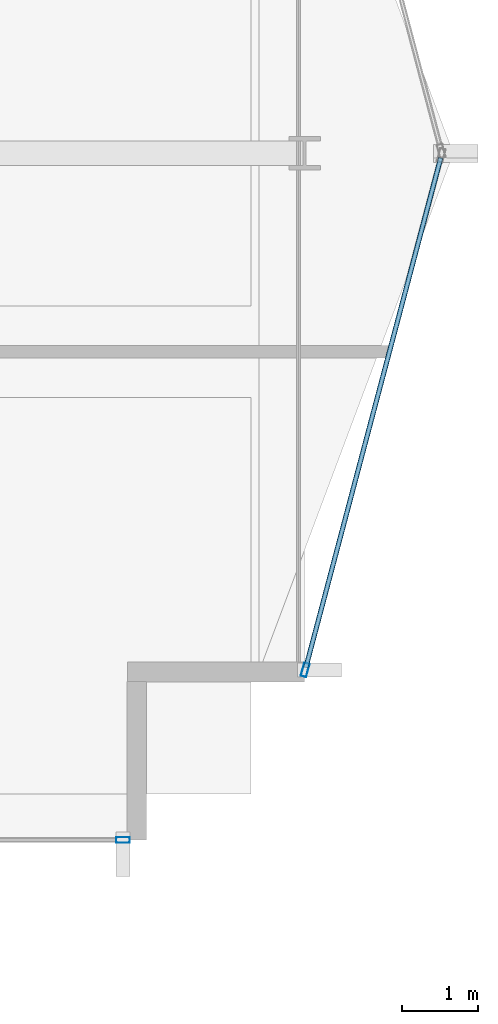
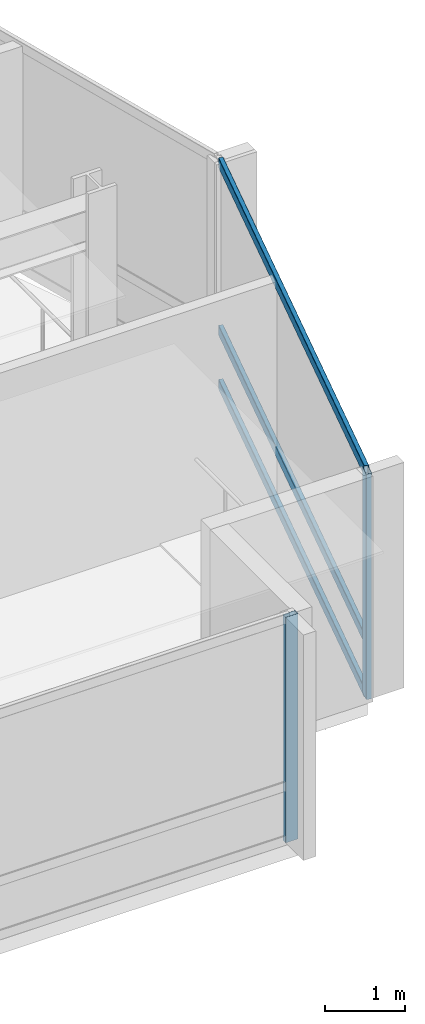
# One storey, part 11 of 29: 5 members, 2 elements without a shape of their own.
"""IFC4 building model written with IfcOpenShell, lengths in metres."""

from ifc_helpers import new_model, si_unit, direction, frame, origin, origin_2d, place, context, subcontext, project, spatial, hollow_rectangle, extrude, material, layer, layer_set, material_profile, profile_set, type_object, element, aggregate, save


model = new_model("IFC4")

# Units and contexts
model_context = context("Model", 3, precision=1e-05, world=origin(), true_north=direction((0.0, 1.0)))
body_context = subcontext(model_context, "Body", "Model", "MODEL_VIEW")
ifc_project = project(units=[si_unit("LENGTHUNIT", "METRE"), si_unit("AREAUNIT", "SQUARE_METRE"), si_unit("VOLUMEUNIT", "CUBIC_METRE"), si_unit("PLANEANGLEUNIT", "RADIAN"), si_unit("MASSUNIT", "GRAM", prefix="KILO")], contexts=[model_context])

# Site, building, storey
site_placement = place(None, origin())
site = spatial("IfcSite", under=ifc_project, at=site_placement, CompositionType="ELEMENT")
building_placement = place(site_placement, origin())
building = spatial("IfcBuilding", under=site, at=building_placement, Name="Solvaryn Broadcast Tower", CompositionType="ELEMENT")
storey_placement = place(building_placement, frame((0.0, 0.0, 161.800048828125)))
storey = spatial("IfcBuildingStorey", under=building, at=storey_placement, Name="L40", CompositionType="ELEMENT", Elevation=161.800048828125)

# Curtain wall, member
ifc_material_1 = material(Name="Aluminium and Terracotta Unitised Curtain Wall", Category="masonry")
ifc_layer = layer(ifc_material_1, 0.199951171875)
ifc_layer_set = layer_set([ifc_layer], Name="CW-SYS2-LOWMID")
curtain_wall_type = type_object("IfcCurtainWallType", Name="CW-SYS2-LOWMID", PredefinedType="NOTDEFINED", material=ifc_layer_set)
curtain_wall_1_placement = place(storey_placement, origin())
curtain_wall_1 = element("IfcCurtainWall", 1, at=curtain_wall_1_placement, inside=storey, type_object=curtain_wall_type, Name="L40 Curtain Wall S2", PredefinedType="NOTDEFINED")
ifc_material_2 = material(Name="Anodised Aluminium 6063-T6", Category="aluminium")
ifc_material_profile_1 = material_profile(ifc_material_2, hollow_rectangle(XDim=0.074951171875, YDim=0.179931640625, WallThickness=0.00390625, InnerFilletRadius=0.00390625, OuterFilletRadius=0.008056640625, at=origin_2d()))
ifc_profile_set_1 = profile_set([ifc_material_profile_1], Name="Anodised Aluminium 6063-T6")
member_type_1 = type_object("IfcMemberType", Name="CW-MUL-180", PredefinedType="MULLION", material=ifc_profile_set_1)
member_1_placement = place(storey_placement, frame((51.6201171875, 9.0, 0.0), z_axis=(0.0, 0.0, 1.0), x_axis=(0.0, 1.0, 0.0)))
member_1 = element("IfcMember", 2, at=member_1_placement, type_object=member_type_1, Name="CWS2 mullion 2", PredefinedType="MULLION", context=body_context, shape_type="SweptSolid", body=[
    extrude(hollow_rectangle(XDim=0.074951171875, YDim=0.179931640625, WallThickness=0.00390625, InnerFilletRadius=0.00390625, OuterFilletRadius=0.008056640625, at=origin_2d()), origin(), (0.0, 0.0, 1.0), 3.419921875),
])
aggregate(curtain_wall_1, [member_1])

# Curtain wall, members
curtain_wall_2_placement = place(storey_placement, origin())
curtain_wall_2 = element("IfcCurtainWall", 3, at=curtain_wall_2_placement, inside=storey, type_object=curtain_wall_type, Name="L40 Curtain Wall ET2", PredefinedType="NOTDEFINED")
member_2_placement = place(storey_placement, frame((54.007568359375, 11.22900390625, 0.0), z_axis=(0.0, 0.0, 1.0), x_axis=(0.966705227863, -0.25589256031, 0.0)))
member_2 = element("IfcMember", 4, at=member_2_placement, type_object=member_type_1, Name="CWS2 mullion 2", PredefinedType="MULLION", context=body_context, shape_type="SweptSolid", body=[
    extrude(hollow_rectangle(XDim=0.074951171875, YDim=0.179931640625, WallThickness=0.00390625, InnerFilletRadius=0.00390625, OuterFilletRadius=0.008056640625, at=origin_2d()), origin(), (0.0, 0.0, 1.0), 3.419921875),
])
ifc_material_3 = material(Name="Anodised Aluminium 6063-T6", Category="aluminium")
ifc_material_profile_2 = material_profile(ifc_material_3, hollow_rectangle(XDim=0.06494140625, YDim=0.14990234375, WallThickness=0.00390625, InnerFilletRadius=0.00390625, OuterFilletRadius=0.008056640625, at=origin_2d()))
ifc_profile_set_2 = profile_set([ifc_material_profile_2], Name="Anodised Aluminium 6063-T6")
member_type_2 = type_object("IfcMemberType", Name="CW-TRN-150", PredefinedType="USERDEFINED", material=ifc_profile_set_2)
member_3_placement = place(storey_placement, frame((55.78466796875, 17.94189453125, 0.030029296875), z_axis=(-0.255897413051, -0.966703943301, 0.0), x_axis=(0.966703943301, -0.255897413051, 0.0)))
member_3 = element("IfcMember", 5, at=member_3_placement, type_object=member_type_2, Name="CWS2 transom 1.1", ObjectType="TRANSOM", PredefinedType="USERDEFINED", context=body_context, shape_type="SweptSolid", body=[
    extrude(hollow_rectangle(XDim=0.06494140625, YDim=0.14990234375, WallThickness=0.00390625, InnerFilletRadius=0.00390625, OuterFilletRadius=0.008056640625, at=origin_2d()), origin(), (0.0, 0.0, 1.0), 6.9140625),
])
member_4_placement = place(storey_placement, frame((55.78466796875, 17.94189453125, 0.849853515625), z_axis=(-0.255897413051, -0.966703943301, 0.0), x_axis=(0.966703943301, -0.255897413051, 0.0)))
member_4 = element("IfcMember", 6, at=member_4_placement, type_object=member_type_2, Name="CWS2 transom 1.2", ObjectType="TRANSOM", PredefinedType="USERDEFINED", context=body_context, shape_type="SweptSolid", body=[
    extrude(hollow_rectangle(XDim=0.06494140625, YDim=0.14990234375, WallThickness=0.00390625, InnerFilletRadius=0.00390625, OuterFilletRadius=0.008056640625, at=origin_2d()), origin(), (0.0, 0.0, 1.0), 6.9140625),
])
member_5_placement = place(storey_placement, frame((55.78466796875, 17.94189453125, 3.389892578125), z_axis=(-0.255897413051, -0.966703943301, 0.0), x_axis=(0.966703943301, -0.255897413051, 0.0)))
member_5 = element("IfcMember", 7, at=member_5_placement, type_object=member_type_2, Name="CWS2 transom 1.3", ObjectType="TRANSOM", PredefinedType="USERDEFINED", context=body_context, shape_type="SweptSolid", body=[
    extrude(hollow_rectangle(XDim=0.06494140625, YDim=0.14990234375, WallThickness=0.00390625, InnerFilletRadius=0.00390625, OuterFilletRadius=0.008056640625, at=origin_2d()), origin(), (0.0, 0.0, 1.0), 6.9140625),
])
aggregate(curtain_wall_2, [member_2, member_3, member_4, member_5])

save(model, "model.ifc")
